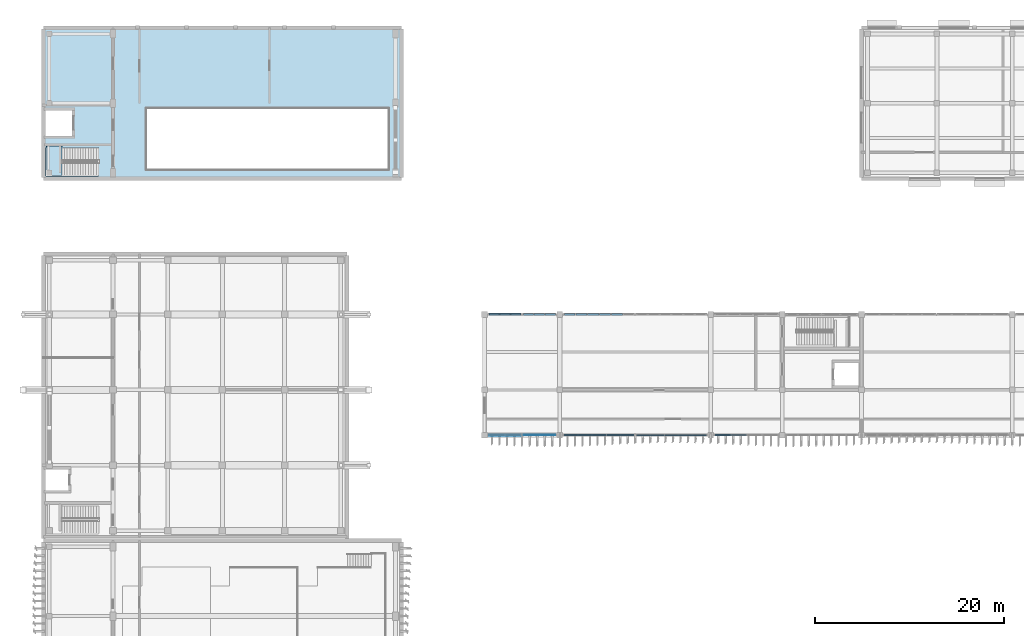
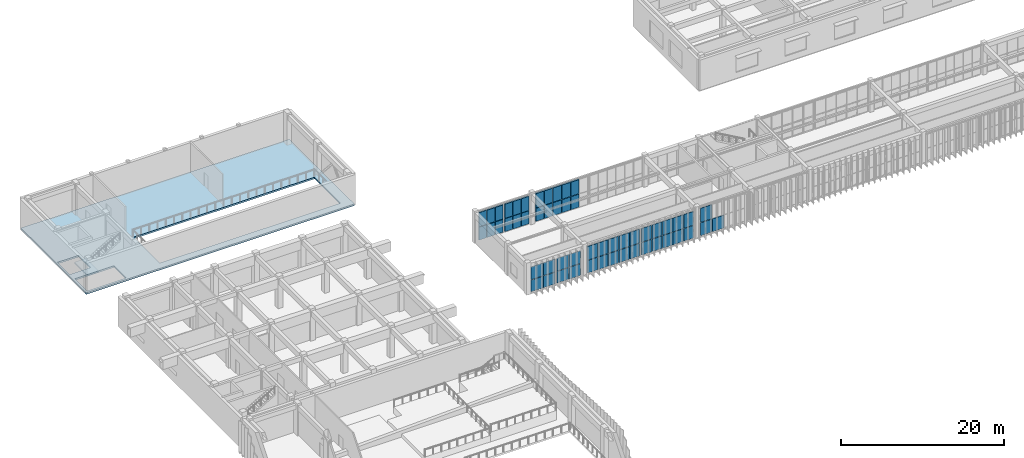
# One storey, part 30 of 64: 53 plates, 2 slabs, 9 elements without a shape of their own.
"""IFC4 building model written with IfcOpenShell, lengths in metres."""

from ifc_helpers import new_model, si_unit, direction, frame, origin, origin_2d, place, context, subcontext, project, spatial, polyline, rectangle, outline, extrude, material, layer, layer_set, type_object, element, aggregate, save


model = new_model("IFC4")

# Units and contexts
model_context = context("Model", 3, precision=1e-05, world=origin(), true_north=direction((0.0, 1.0)))
body_context = subcontext(model_context, "Body", "Model", "MODEL_VIEW")
ifc_project = project(units=[si_unit("LENGTHUNIT", "METRE"), si_unit("AREAUNIT", "SQUARE_METRE"), si_unit("VOLUMEUNIT", "CUBIC_METRE"), si_unit("PLANEANGLEUNIT", "RADIAN"), si_unit("MASSUNIT", "GRAM", prefix="KILO")], contexts=[model_context])

# Site, building, storey
site_placement = place(None, origin())
site = spatial("IfcSite", under=ifc_project, at=site_placement, CompositionType="ELEMENT")
building_placement = place(site_placement, origin())
building = spatial("IfcBuilding", under=site, at=building_placement, Name="Cinchona Park Media Centre", CompositionType="ELEMENT")
storey_placement = place(building_placement, frame((0.0, 0.0, 5.39990234375)))
storey = spatial("IfcBuildingStorey", under=building, at=storey_placement, Name="L01", CompositionType="ELEMENT", Elevation=5.39990234375)

# Curtain wall, plates
ifc_material_1 = material(Name="Aluminium Curtain Wall Framing", Category="aluminium")
ifc_layer_1 = layer(ifc_material_1, 0.239990234375)
ifc_layer_set_1 = layer_set([ifc_layer_1], Name="Aluminium Curtain Wall Framing")
curtain_wall_type_1 = type_object("IfcCurtainWallType", Name="CW-CW05", PredefinedType="USERDEFINED", material=ifc_layer_set_1)
curtain_wall_1_placement = place(storey_placement, origin())
curtain_wall_1 = element("IfcCurtainWall", 1, at=curtain_wall_1_placement, inside=storey, type_object=curtain_wall_type_1, Name="Curtain Wall CW05 L01", ObjectType="UNITISED CURTAIN WALL", PredefinedType="USERDEFINED")
ifc_material_2 = material(Name="Laminated Solar-Control Double Glazing", Category="glass")
ifc_layer_2 = layer(ifc_material_2, 0.080078125)
ifc_layer_set_2 = layer_set([ifc_layer_2], Name="Laminated Solar-Control Double Glazing")
plate_type_1 = type_object("IfcPlateType", Name="CWPANEL-PNL07", PredefinedType="CURTAIN_PANEL", material=ifc_layer_set_2)
plate_1_placement = place(storey_placement, frame((61.487548828125, 74.800048828125, 0.1201171875), z_axis=(0.0, 0.0, 1.0), x_axis=(-1.0, 0.0, 0.0)))
plate_1 = element("IfcPlate", 2, at=plate_1_placement, type_object=plate_type_1, Name="CW05 panel 1.1", PredefinedType="CURTAIN_PANEL", context=body_context, shape_type="SweptSolid", body=[
    extrude(rectangle(XDim=1.64501953125, YDim=0.080078125, at=origin_2d()), origin(), (0.0, 0.0, 1.0), 1.738037109375),
])
plate_2_placement = place(storey_placement, frame((61.487548828125, 74.800048828125, 1.927978515625), z_axis=(0.0, 0.0, 1.0), x_axis=(-1.0, 0.0, 0.0)))
plate_2 = element("IfcPlate", 3, at=plate_2_placement, type_object=plate_type_1, Name="CW05 panel 1.2", PredefinedType="CURTAIN_PANEL", context=body_context, shape_type="SweptSolid", body=[
    extrude(rectangle(XDim=1.64501953125, YDim=0.080078125, at=origin_2d()), origin(), (0.0, 0.0, 1.0), 1.89208984375),
])
plate_3_placement = place(storey_placement, frame((59.7724609375, 74.800048828125, 0.1201171875), z_axis=(0.0, 0.0, 1.0), x_axis=(-1.0, 0.0, 0.0)))
plate_3 = element("IfcPlate", 4, at=plate_3_placement, type_object=plate_type_1, Name="CW05 panel 2.1", PredefinedType="CURTAIN_PANEL", context=body_context, shape_type="SweptSolid", body=[
    extrude(rectangle(XDim=1.64501953125, YDim=0.080078125, at=origin_2d()), origin(), (0.0, 0.0, 1.0), 1.738037109375),
])
plate_4_placement = place(storey_placement, frame((59.7724609375, 74.800048828125, 1.927978515625), z_axis=(0.0, 0.0, 1.0), x_axis=(-1.0, 0.0, 0.0)))
plate_4 = element("IfcPlate", 5, at=plate_4_placement, type_object=plate_type_1, Name="CW05 panel 2.2", PredefinedType="CURTAIN_PANEL", context=body_context, shape_type="SweptSolid", body=[
    extrude(rectangle(XDim=1.64501953125, YDim=0.080078125, at=origin_2d()), origin(), (0.0, 0.0, 1.0), 1.89208984375),
])
aggregate(curtain_wall_1, [plate_1, plate_2, plate_3, plate_4])

ifc_material_3 = material(Name="Aluminium Curtain Wall Framing", Category="aluminium")
ifc_layer_3 = layer(ifc_material_3, 0.2548828125)
ifc_layer_set_3 = layer_set([ifc_layer_3], Name="Aluminium Curtain Wall Framing")
curtain_wall_type_2 = type_object("IfcCurtainWallType", Name="CW-CW06", PredefinedType="USERDEFINED", material=ifc_layer_set_3)
curtain_wall_2_placement = place(storey_placement, origin())
curtain_wall_2 = element("IfcCurtainWall", 6, at=curtain_wall_2_placement, inside=storey, type_object=curtain_wall_type_2, Name="Curtain Wall CW06 L01", ObjectType="UNITISED CURTAIN WALL", PredefinedType="USERDEFINED")
ifc_material_4 = material(Name="Insulated Acoustic Aluminium-Glass Spandrel Cassette", Category="aluminium")
ifc_layer_4 = layer(ifc_material_4, 0.10009765625)
ifc_layer_set_4 = layer_set([ifc_layer_4], Name="Insulated Acoustic Aluminium-Glass Spandrel Cassette")
plate_type_2 = type_object("IfcPlateType", Name="CWPANEL-PNL09", PredefinedType="CURTAIN_PANEL", material=ifc_layer_set_4)
plate_5_placement = place(storey_placement, frame((57.827392578125, 74.800048828125, 0.1201171875), z_axis=(0.0, 0.0, 1.0), x_axis=(-1.0, 0.0, 0.0)))
plate_5 = element("IfcPlate", 7, at=plate_5_placement, type_object=plate_type_2, Name="CW06 panel 1.1", PredefinedType="CURTAIN_PANEL", context=body_context, shape_type="SweptSolid", body=[
    extrude(rectangle(XDim=1.64501953125, YDim=0.10009765625, at=origin_2d()), origin(), (0.0, 0.0, 1.0), 1.738037109375),
])
plate_6_placement = place(storey_placement, frame((57.827392578125, 74.800048828125, 1.927978515625), z_axis=(0.0, 0.0, 1.0), x_axis=(-1.0, 0.0, 0.0)))
plate_6 = element("IfcPlate", 8, at=plate_6_placement, type_object=plate_type_2, Name="CW06 panel 1.2", PredefinedType="CURTAIN_PANEL", context=body_context, shape_type="SweptSolid", body=[
    extrude(rectangle(XDim=1.64501953125, YDim=0.10009765625, at=origin_2d()), origin(), (0.0, 0.0, 1.0), 1.89208984375),
])
plate_7_placement = place(storey_placement, frame((56.112548828125, 74.800048828125, 0.1201171875), z_axis=(0.0, 0.0, 1.0), x_axis=(-1.0, 0.0, 0.0)))
plate_7 = element("IfcPlate", 9, at=plate_7_placement, type_object=plate_type_2, Name="CW06 panel 2.1", PredefinedType="CURTAIN_PANEL", context=body_context, shape_type="SweptSolid", body=[
    extrude(rectangle(XDim=1.64501953125, YDim=0.10009765625, at=origin_2d()), origin(), (0.0, 0.0, 1.0), 1.738037109375),
])
plate_8_placement = place(storey_placement, frame((56.112548828125, 74.800048828125, 1.927978515625), z_axis=(0.0, 0.0, 1.0), x_axis=(-1.0, 0.0, 0.0)))
plate_8 = element("IfcPlate", 10, at=plate_8_placement, type_object=plate_type_2, Name="CW06 panel 2.2", PredefinedType="CURTAIN_PANEL", context=body_context, shape_type="SweptSolid", body=[
    extrude(rectangle(XDim=1.64501953125, YDim=0.10009765625, at=origin_2d()), origin(), (0.0, 0.0, 1.0), 1.89208984375),
])
aggregate(curtain_wall_2, [plate_5, plate_6, plate_7, plate_8])

ifc_material_5 = material(Name="Aluminium Curtain Wall Framing", Category="aluminium")
ifc_layer_5 = layer(ifc_material_5, 0.27001953125)
ifc_layer_set_5 = layer_set([ifc_layer_5], Name="Aluminium Curtain Wall Framing")
curtain_wall_type_3 = type_object("IfcCurtainWallType", Name="CW-CW07", PredefinedType="USERDEFINED", material=ifc_layer_set_5)
curtain_wall_3_placement = place(storey_placement, origin())
curtain_wall_3 = element("IfcCurtainWall", 11, at=curtain_wall_3_placement, inside=storey, type_object=curtain_wall_type_3, Name="Curtain Wall CW07 L01", ObjectType="UNITISED CURTAIN WALL", PredefinedType="USERDEFINED")
ifc_material_6 = material(Name="Insulated Acoustic Aluminium-Glass Spandrel Cassette", Category="aluminium")
ifc_layer_6 = layer(ifc_material_6, 0.110107421875)
ifc_layer_set_6 = layer_set([ifc_layer_6], Name="Insulated Acoustic Aluminium-Glass Spandrel Cassette")
plate_type_3 = type_object("IfcPlateType", Name="CWPANEL-PNL10", PredefinedType="CURTAIN_PANEL", material=ifc_layer_set_6)
plate_9_placement = place(storey_placement, frame((77.61376953125, 74.800048828125, 0.115234375), z_axis=(0.0, 0.0, 1.0), x_axis=(-1.0, 0.0, 0.0)))
plate_9 = element("IfcPlate", 12, at=plate_9_placement, type_object=plate_type_3, Name="CW07 panel 1.1", PredefinedType="CURTAIN_PANEL", context=body_context, shape_type="SweptSolid", body=[
    extrude(rectangle(XDim=1.402587890625, YDim=0.110107421875, at=origin_2d()), origin(), (0.0, 0.0, 1.0), 1.883544921875),
])
plate_10_placement = place(storey_placement, frame((77.61376953125, 74.800048828125, 2.0634765625), z_axis=(0.0, 0.0, 1.0), x_axis=(-1.0, 0.0, 0.0)))
plate_10 = element("IfcPlate", 13, at=plate_10_placement, type_object=plate_type_3, Name="CW07 panel 1.2", PredefinedType="CURTAIN_PANEL", context=body_context, shape_type="SweptSolid", body=[
    extrude(rectangle(XDim=1.402587890625, YDim=0.110107421875, at=origin_2d()), origin(), (0.0, 0.0, 1.0), 2.048583984375),
])
plate_11_placement = place(storey_placement, frame((76.1298828125, 74.800048828125, 0.115234375), z_axis=(0.0, 0.0, 1.0), x_axis=(-1.0, 0.0, 0.0)))
plate_11 = element("IfcPlate", 14, at=plate_11_placement, type_object=plate_type_3, Name="CW07 panel 2.1", PredefinedType="CURTAIN_PANEL", context=body_context, shape_type="SweptSolid", body=[
    extrude(rectangle(XDim=1.43505859375, YDim=0.110107421875, at=origin_2d()), origin(), (0.0, 0.0, 1.0), 1.883544921875),
])
plate_12_placement = place(storey_placement, frame((76.1298828125, 74.800048828125, 2.0634765625), z_axis=(0.0, 0.0, 1.0), x_axis=(-1.0, 0.0, 0.0)))
plate_12 = element("IfcPlate", 15, at=plate_12_placement, type_object=plate_type_3, Name="CW07 panel 2.2", PredefinedType="CURTAIN_PANEL", context=body_context, shape_type="SweptSolid", body=[
    extrude(rectangle(XDim=1.43505859375, YDim=0.110107421875, at=origin_2d()), origin(), (0.0, 0.0, 1.0), 2.048583984375),
])
plate_13_placement = place(storey_placement, frame((74.6298828125, 74.800048828125, 0.115234375), z_axis=(0.0, 0.0, 1.0), x_axis=(-1.0, 0.0, 0.0)))
plate_13 = element("IfcPlate", 16, at=plate_13_placement, type_object=plate_type_3, Name="CW07 panel 3.1", PredefinedType="CURTAIN_PANEL", context=body_context, shape_type="SweptSolid", body=[
    extrude(rectangle(XDim=1.43505859375, YDim=0.110107421875, at=origin_2d()), origin(), (0.0, 0.0, 1.0), 1.883544921875),
])
plate_14_placement = place(storey_placement, frame((74.6298828125, 74.800048828125, 2.0634765625), z_axis=(0.0, 0.0, 1.0), x_axis=(-1.0, 0.0, 0.0)))
plate_14 = element("IfcPlate", 17, at=plate_14_placement, type_object=plate_type_3, Name="CW07 panel 3.2", PredefinedType="CURTAIN_PANEL", context=body_context, shape_type="SweptSolid", body=[
    extrude(rectangle(XDim=1.43505859375, YDim=0.110107421875, at=origin_2d()), origin(), (0.0, 0.0, 1.0), 2.048583984375),
])
plate_15_placement = place(storey_placement, frame((73.1298828125, 74.800048828125, 0.115234375), z_axis=(0.0, 0.0, 1.0), x_axis=(-1.0, 0.0, 0.0)))
plate_15 = element("IfcPlate", 18, at=plate_15_placement, type_object=plate_type_3, Name="CW07 panel 4.1", PredefinedType="CURTAIN_PANEL", context=body_context, shape_type="SweptSolid", body=[
    extrude(rectangle(XDim=1.43505859375, YDim=0.110107421875, at=origin_2d()), origin(), (0.0, 0.0, 1.0), 1.883544921875),
])
plate_16_placement = place(storey_placement, frame((73.1298828125, 74.800048828125, 2.0634765625), z_axis=(0.0, 0.0, 1.0), x_axis=(-1.0, 0.0, 0.0)))
plate_16 = element("IfcPlate", 19, at=plate_16_placement, type_object=plate_type_3, Name="CW07 panel 4.2", PredefinedType="CURTAIN_PANEL", context=body_context, shape_type="SweptSolid", body=[
    extrude(rectangle(XDim=1.43505859375, YDim=0.110107421875, at=origin_2d()), origin(), (0.0, 0.0, 1.0), 2.048583984375),
])
plate_17_placement = place(storey_placement, frame((71.646240234375, 74.800048828125, 0.115234375), z_axis=(0.0, 0.0, 1.0), x_axis=(-1.0, 0.0, 0.0)))
plate_17 = element("IfcPlate", 20, at=plate_17_placement, type_object=plate_type_3, Name="CW07 panel 5.1", PredefinedType="CURTAIN_PANEL", context=body_context, shape_type="SweptSolid", body=[
    extrude(rectangle(XDim=1.402587890625, YDim=0.110107421875, at=origin_2d()), origin(), (0.0, 0.0, 1.0), 1.883544921875),
])
plate_18_placement = place(storey_placement, frame((71.646240234375, 74.800048828125, 2.0634765625), z_axis=(0.0, 0.0, 1.0), x_axis=(-1.0, 0.0, 0.0)))
plate_18 = element("IfcPlate", 21, at=plate_18_placement, type_object=plate_type_3, Name="CW07 panel 5.2", PredefinedType="CURTAIN_PANEL", context=body_context, shape_type="SweptSolid", body=[
    extrude(rectangle(XDim=1.402587890625, YDim=0.110107421875, at=origin_2d()), origin(), (0.0, 0.0, 1.0), 2.048583984375),
])
aggregate(curtain_wall_3, [plate_9, plate_10, plate_11, plate_12, plate_13, plate_14, plate_15, plate_16, plate_17, plate_18])

ifc_material_7 = material(Name="Aluminium Curtain Wall Framing", Category="aluminium")
ifc_layer_7 = layer(ifc_material_7, 0.284912109375)
ifc_layer_set_7 = layer_set([ifc_layer_7], Name="Aluminium Curtain Wall Framing")
curtain_wall_type_4 = type_object("IfcCurtainWallType", Name="CW-CW08", PredefinedType="USERDEFINED", material=ifc_layer_set_7)
curtain_wall_4_placement = place(storey_placement, origin())
curtain_wall_4 = element("IfcCurtainWall", 22, at=curtain_wall_4_placement, inside=storey, type_object=curtain_wall_type_4, Name="Curtain Wall CW08 L01", ObjectType="UNITISED CURTAIN WALL", PredefinedType="USERDEFINED")
ifc_material_8 = material(Name="Insulated Acoustic Aluminium-Glass Spandrel Cassette", Category="aluminium")
ifc_layer_8 = layer(ifc_material_8, 0.1298828125)
ifc_layer_set_8 = layer_set([ifc_layer_8], Name="Insulated Acoustic Aluminium-Glass Spandrel Cassette")
plate_type_4 = type_object("IfcPlateType", Name="CWPANEL-PNL12", PredefinedType="CURTAIN_PANEL", material=ifc_layer_set_8)
plate_19_placement = place(storey_placement, frame((69.953857421875, 74.800048828125, 0.115234375), z_axis=(0.0, 0.0, 1.0), x_axis=(-1.0, 0.0, 0.0)))
plate_19 = element("IfcPlate", 23, at=plate_19_placement, type_object=plate_type_4, Name="CW08 panel 1.1", PredefinedType="CURTAIN_PANEL", context=body_context, shape_type="SweptSolid", body=[
    extrude(rectangle(XDim=1.402587890625, YDim=0.1298828125, at=origin_2d()), origin(), (0.0, 0.0, 1.0), 1.883544921875),
])
plate_20_placement = place(storey_placement, frame((69.953857421875, 74.800048828125, 2.0634765625), z_axis=(0.0, 0.0, 1.0), x_axis=(-1.0, 0.0, 0.0)))
plate_20 = element("IfcPlate", 24, at=plate_20_placement, type_object=plate_type_4, Name="CW08 panel 1.2", PredefinedType="CURTAIN_PANEL", context=body_context, shape_type="SweptSolid", body=[
    extrude(rectangle(XDim=1.402587890625, YDim=0.1298828125, at=origin_2d()), origin(), (0.0, 0.0, 1.0), 2.048583984375),
])
plate_21_placement = place(storey_placement, frame((68.469970703125, 74.800048828125, 0.115234375), z_axis=(0.0, 0.0, 1.0), x_axis=(-1.0, 0.0, 0.0)))
plate_21 = element("IfcPlate", 25, at=plate_21_placement, type_object=plate_type_4, Name="CW08 panel 2.1", PredefinedType="CURTAIN_PANEL", context=body_context, shape_type="SweptSolid", body=[
    extrude(rectangle(XDim=1.43505859375, YDim=0.1298828125, at=origin_2d()), origin(), (0.0, 0.0, 1.0), 1.883544921875),
])
plate_22_placement = place(storey_placement, frame((68.469970703125, 74.800048828125, 2.0634765625), z_axis=(0.0, 0.0, 1.0), x_axis=(-1.0, 0.0, 0.0)))
plate_22 = element("IfcPlate", 26, at=plate_22_placement, type_object=plate_type_4, Name="CW08 panel 2.2", PredefinedType="CURTAIN_PANEL", context=body_context, shape_type="SweptSolid", body=[
    extrude(rectangle(XDim=1.43505859375, YDim=0.1298828125, at=origin_2d()), origin(), (0.0, 0.0, 1.0), 2.048583984375),
])
plate_23_placement = place(storey_placement, frame((66.969970703125, 74.800048828125, 0.115234375), z_axis=(0.0, 0.0, 1.0), x_axis=(-1.0, 0.0, 0.0)))
plate_23 = element("IfcPlate", 27, at=plate_23_placement, type_object=plate_type_4, Name="CW08 panel 3.1", PredefinedType="CURTAIN_PANEL", context=body_context, shape_type="SweptSolid", body=[
    extrude(rectangle(XDim=1.43505859375, YDim=0.1298828125, at=origin_2d()), origin(), (0.0, 0.0, 1.0), 1.883544921875),
])
plate_24_placement = place(storey_placement, frame((66.969970703125, 74.800048828125, 2.0634765625), z_axis=(0.0, 0.0, 1.0), x_axis=(-1.0, 0.0, 0.0)))
plate_24 = element("IfcPlate", 28, at=plate_24_placement, type_object=plate_type_4, Name="CW08 panel 3.2", PredefinedType="CURTAIN_PANEL", context=body_context, shape_type="SweptSolid", body=[
    extrude(rectangle(XDim=1.43505859375, YDim=0.1298828125, at=origin_2d()), origin(), (0.0, 0.0, 1.0), 2.048583984375),
])
plate_25_placement = place(storey_placement, frame((65.469970703125, 74.800048828125, 0.115234375), z_axis=(0.0, 0.0, 1.0), x_axis=(-1.0, 0.0, 0.0)))
plate_25 = element("IfcPlate", 29, at=plate_25_placement, type_object=plate_type_4, Name="CW08 panel 4.1", PredefinedType="CURTAIN_PANEL", context=body_context, shape_type="SweptSolid", body=[
    extrude(rectangle(XDim=1.43505859375, YDim=0.1298828125, at=origin_2d()), origin(), (0.0, 0.0, 1.0), 1.883544921875),
])
plate_26_placement = place(storey_placement, frame((65.469970703125, 74.800048828125, 2.0634765625), z_axis=(0.0, 0.0, 1.0), x_axis=(-1.0, 0.0, 0.0)))
plate_26 = element("IfcPlate", 30, at=plate_26_placement, type_object=plate_type_4, Name="CW08 panel 4.2", PredefinedType="CURTAIN_PANEL", context=body_context, shape_type="SweptSolid", body=[
    extrude(rectangle(XDim=1.43505859375, YDim=0.1298828125, at=origin_2d()), origin(), (0.0, 0.0, 1.0), 2.048583984375),
])
plate_27_placement = place(storey_placement, frame((63.986328125, 74.800048828125, 0.115234375), z_axis=(0.0, 0.0, 1.0), x_axis=(-1.0, 0.0, 0.0)))
plate_27 = element("IfcPlate", 31, at=plate_27_placement, type_object=plate_type_4, Name="CW08 panel 5.1", PredefinedType="CURTAIN_PANEL", context=body_context, shape_type="SweptSolid", body=[
    extrude(rectangle(XDim=1.402587890625, YDim=0.1298828125, at=origin_2d()), origin(), (0.0, 0.0, 1.0), 1.883544921875),
])
plate_28_placement = place(storey_placement, frame((63.986328125, 74.800048828125, 2.0634765625), z_axis=(0.0, 0.0, 1.0), x_axis=(-1.0, 0.0, 0.0)))
plate_28 = element("IfcPlate", 32, at=plate_28_placement, type_object=plate_type_4, Name="CW08 panel 5.2", PredefinedType="CURTAIN_PANEL", context=body_context, shape_type="SweptSolid", body=[
    extrude(rectangle(XDim=1.402587890625, YDim=0.1298828125, at=origin_2d()), origin(), (0.0, 0.0, 1.0), 2.048583984375),
])
aggregate(curtain_wall_4, [plate_19, plate_20, plate_21, plate_22, plate_23, plate_24, plate_25, plate_26, plate_27, plate_28])

ifc_material_9 = material(Name="Aluminium Curtain Wall Framing", Category="aluminium")
ifc_layer_9 = layer(ifc_material_9, 0.300048828125)
ifc_layer_set_9 = layer_set([ifc_layer_9], Name="Aluminium Curtain Wall Framing")
curtain_wall_type_5 = type_object("IfcCurtainWallType", Name="CW-CW09", PredefinedType="USERDEFINED", material=ifc_layer_set_9)
curtain_wall_5_placement = place(storey_placement, origin())
curtain_wall_5 = element("IfcCurtainWall", 33, at=curtain_wall_5_placement, inside=storey, type_object=curtain_wall_type_5, Name="Curtain Wall CW09 L01", ObjectType="UNITISED CURTAIN WALL", PredefinedType="USERDEFINED")
ifc_material_10 = material(Name="Insulated Acoustic Aluminium-Glass Spandrel Cassette", Category="aluminium")
ifc_layer_10 = layer(ifc_material_10, 0.139892578125)
ifc_layer_set_10 = layer_set([ifc_layer_10], Name="Insulated Acoustic Aluminium-Glass Spandrel Cassette")
plate_type_5 = type_object("IfcPlateType", Name="CWPANEL-PNL13", PredefinedType="CURTAIN_PANEL", material=ifc_layer_set_10)
plate_29_placement = place(storey_placement, frame((81.7548828125, 74.800048828125, 0.125244140625), z_axis=(0.0, 0.0, 1.0), x_axis=(-1.0, 0.0, 0.0)))
plate_29 = element("IfcPlate", 34, at=plate_29_placement, type_object=plate_type_5, Name="CW09 panel 3.1", PredefinedType="CURTAIN_PANEL", context=body_context, shape_type="SweptSolid", body=[
    extrude(rectangle(XDim=1.614990234375, YDim=0.139892578125, at=origin_2d()), origin(), (0.0, 0.0, 1.0), 1.92138671875),
])
plate_30_placement = place(storey_placement, frame((80.083740234375, 74.800048828125, 0.125244140625), z_axis=(0.0, 0.0, 1.0), x_axis=(-1.0, 0.0, 0.0)))
plate_30 = element("IfcPlate", 35, at=plate_30_placement, type_object=plate_type_5, Name="CW09 panel 4.1", PredefinedType="CURTAIN_PANEL", context=body_context, shape_type="SweptSolid", body=[
    extrude(rectangle(XDim=1.577392578125, YDim=0.139892578125, at=origin_2d()), origin(), (0.0, 0.0, 1.0), 1.92138671875),
])
plate_31_placement = place(storey_placement, frame((80.083740234375, 74.800048828125, 2.12158203125), z_axis=(0.0, 0.0, 1.0), x_axis=(-1.0, 0.0, 0.0)))
plate_31 = element("IfcPlate", 36, at=plate_31_placement, type_object=plate_type_5, Name="CW09 panel 4.2", PredefinedType="CURTAIN_PANEL", context=body_context, shape_type="SweptSolid", body=[
    extrude(rectangle(XDim=1.577392578125, YDim=0.139892578125, at=origin_2d()), origin(), (0.0, 0.0, 1.0), 2.091552734375),
])
aggregate(curtain_wall_5, [plate_29, plate_30, plate_31])

ifc_material_11 = material(Name="Aluminium Curtain Wall Framing", Category="aluminium")
ifc_layer_11 = layer(ifc_material_11, 0.179931640625)
ifc_layer_set_11 = layer_set([ifc_layer_11], Name="Aluminium Curtain Wall Framing")
curtain_wall_type_6 = type_object("IfcCurtainWallType", Name="CW-CW01", PredefinedType="USERDEFINED", material=ifc_layer_set_11)
curtain_wall_6_placement = place(storey_placement, origin())
curtain_wall_6 = element("IfcCurtainWall", 37, at=curtain_wall_6_placement, inside=storey, type_object=curtain_wall_type_6, Name="Curtain Wall CW01 L01", ObjectType="UNITISED CURTAIN WALL", PredefinedType="USERDEFINED")
ifc_material_12 = material(Name="Insulated Acoustic Aluminium-Glass Spandrel Cassette", Category="aluminium")
ifc_layer_12 = layer(ifc_material_12, 0.2099609375)
ifc_layer_set_12 = layer_set([ifc_layer_12], Name="Insulated Acoustic Aluminium-Glass Spandrel Cassette")
plate_type_6 = type_object("IfcPlateType", Name="CWPANEL-PNL20", PredefinedType="CURTAIN_PANEL", material=ifc_layer_set_12)
plate_32_placement = place(storey_placement, frame((55.819580078125, 87.60009765625, 0.114990234375), z_axis=(0.0, 0.0, 1.0), x_axis=(1.0, 0.0, 0.0)))
plate_32 = element("IfcPlate", 38, at=plate_32_placement, type_object=plate_type_6, Name="CW01 panel 1.1", PredefinedType="CURTAIN_PANEL", context=body_context, shape_type="SweptSolid", body=[
    extrude(rectangle(XDim=1.069091796875, YDim=0.2099609375, at=origin_2d()), origin(), (0.0, 0.0, 1.0), 1.9365234375),
])
plate_33_placement = place(storey_placement, frame((55.819580078125, 87.60009765625, 2.11669921875), z_axis=(0.0, 0.0, 1.0), x_axis=(1.0, 0.0, 0.0)))
plate_33 = element("IfcPlate", 39, at=plate_33_placement, type_object=plate_type_6, Name="CW01 panel 1.2", PredefinedType="CURTAIN_PANEL", context=body_context, shape_type="SweptSolid", body=[
    extrude(rectangle(XDim=1.069091796875, YDim=0.2099609375, at=origin_2d()), origin(), (0.0, 0.0, 1.0), 2.1064453125),
])
plate_34_placement = place(storey_placement, frame((56.969970703125, 87.60009765625, 0.114990234375), z_axis=(0.0, 0.0, 1.0), x_axis=(1.0, 0.0, 0.0)))
plate_34 = element("IfcPlate", 40, at=plate_34_placement, type_object=plate_type_6, Name="CW01 panel 2.1", PredefinedType="CURTAIN_PANEL", context=body_context, shape_type="SweptSolid", body=[
    extrude(rectangle(XDim=1.1015625, YDim=0.2099609375, at=origin_2d()), origin(), (0.0, 0.0, 1.0), 1.9365234375),
])
plate_35_placement = place(storey_placement, frame((56.969970703125, 87.60009765625, 2.11669921875), z_axis=(0.0, 0.0, 1.0), x_axis=(1.0, 0.0, 0.0)))
plate_35 = element("IfcPlate", 41, at=plate_35_placement, type_object=plate_type_6, Name="CW01 panel 2.2", PredefinedType="CURTAIN_PANEL", context=body_context, shape_type="SweptSolid", body=[
    extrude(rectangle(XDim=1.1015625, YDim=0.2099609375, at=origin_2d()), origin(), (0.0, 0.0, 1.0), 2.1064453125),
])
plate_36_placement = place(storey_placement, frame((58.120361328125, 87.60009765625, 0.114990234375), z_axis=(0.0, 0.0, 1.0), x_axis=(1.0, 0.0, 0.0)))
plate_36 = element("IfcPlate", 42, at=plate_36_placement, type_object=plate_type_6, Name="CW01 panel 3.1", PredefinedType="CURTAIN_PANEL", context=body_context, shape_type="SweptSolid", body=[
    extrude(rectangle(XDim=1.069091796875, YDim=0.2099609375, at=origin_2d()), origin(), (0.0, 0.0, 1.0), 1.9365234375),
])
plate_37_placement = place(storey_placement, frame((58.120361328125, 87.60009765625, 2.11669921875), z_axis=(0.0, 0.0, 1.0), x_axis=(1.0, 0.0, 0.0)))
plate_37 = element("IfcPlate", 43, at=plate_37_placement, type_object=plate_type_6, Name="CW01 panel 3.2", PredefinedType="CURTAIN_PANEL", context=body_context, shape_type="SweptSolid", body=[
    extrude(rectangle(XDim=1.069091796875, YDim=0.2099609375, at=origin_2d()), origin(), (0.0, 0.0, 1.0), 2.1064453125),
])
aggregate(curtain_wall_6, [plate_32, plate_33, plate_34, plate_35, plate_36, plate_37])

ifc_material_13 = material(Name="Aluminium Curtain Wall Framing", Category="aluminium")
ifc_layer_13 = layer(ifc_material_13, 0.195068359375)
ifc_layer_set_13 = layer_set([ifc_layer_13], Name="Aluminium Curtain Wall Framing")
curtain_wall_type_7 = type_object("IfcCurtainWallType", Name="CW-CW02", PredefinedType="USERDEFINED", material=ifc_layer_set_13)
curtain_wall_7_placement = place(storey_placement, origin())
curtain_wall_7 = element("IfcCurtainWall", 44, at=curtain_wall_7_placement, inside=storey, type_object=curtain_wall_type_7, Name="Curtain Wall CW02 L01", ObjectType="UNITISED CURTAIN WALL", PredefinedType="USERDEFINED")
ifc_material_14 = material(Name="Insulated Acoustic Aluminium-Glass Spandrel Cassette", Category="aluminium")
ifc_layer_14 = layer(ifc_material_14, 0.22998046875)
ifc_layer_set_14 = layer_set([ifc_layer_14], Name="Insulated Acoustic Aluminium-Glass Spandrel Cassette")
plate_type_7 = type_object("IfcPlateType", Name="CWPANEL-PNL22", PredefinedType="CURTAIN_PANEL", material=ifc_layer_set_14)
plate_38_placement = place(storey_placement, frame((59.4794921875, 87.60009765625, 0.114990234375), z_axis=(0.0, 0.0, 1.0), x_axis=(1.0, 0.0, 0.0)))
plate_38 = element("IfcPlate", 45, at=plate_38_placement, type_object=plate_type_7, Name="CW02 panel 1.1", PredefinedType="CURTAIN_PANEL", context=body_context, shape_type="SweptSolid", body=[
    extrude(rectangle(XDim=1.069091796875, YDim=0.22998046875, at=origin_2d()), origin(), (0.0, 0.0, 1.0), 1.9365234375),
])
plate_39_placement = place(storey_placement, frame((59.4794921875, 87.60009765625, 2.11669921875), z_axis=(0.0, 0.0, 1.0), x_axis=(1.0, 0.0, 0.0)))
plate_39 = element("IfcPlate", 46, at=plate_39_placement, type_object=plate_type_7, Name="CW02 panel 1.2", PredefinedType="CURTAIN_PANEL", context=body_context, shape_type="SweptSolid", body=[
    extrude(rectangle(XDim=1.069091796875, YDim=0.22998046875, at=origin_2d()), origin(), (0.0, 0.0, 1.0), 2.1064453125),
])
plate_40_placement = place(storey_placement, frame((60.6298828125, 87.60009765625, 0.114990234375), z_axis=(0.0, 0.0, 1.0), x_axis=(1.0, 0.0, 0.0)))
plate_40 = element("IfcPlate", 47, at=plate_40_placement, type_object=plate_type_7, Name="CW02 panel 2.1", PredefinedType="CURTAIN_PANEL", context=body_context, shape_type="SweptSolid", body=[
    extrude(rectangle(XDim=1.1015625, YDim=0.22998046875, at=origin_2d()), origin(), (0.0, 0.0, 1.0), 1.9365234375),
])
plate_41_placement = place(storey_placement, frame((60.6298828125, 87.60009765625, 2.11669921875), z_axis=(0.0, 0.0, 1.0), x_axis=(1.0, 0.0, 0.0)))
plate_41 = element("IfcPlate", 48, at=plate_41_placement, type_object=plate_type_7, Name="CW02 panel 2.2", PredefinedType="CURTAIN_PANEL", context=body_context, shape_type="SweptSolid", body=[
    extrude(rectangle(XDim=1.1015625, YDim=0.22998046875, at=origin_2d()), origin(), (0.0, 0.0, 1.0), 2.1064453125),
])
plate_42_placement = place(storey_placement, frame((61.780517578125, 87.60009765625, 0.114990234375), z_axis=(0.0, 0.0, 1.0), x_axis=(1.0, 0.0, 0.0)))
plate_42 = element("IfcPlate", 49, at=plate_42_placement, type_object=plate_type_7, Name="CW02 panel 3.1", PredefinedType="CURTAIN_PANEL", context=body_context, shape_type="SweptSolid", body=[
    extrude(rectangle(XDim=1.069091796875, YDim=0.22998046875, at=origin_2d()), origin(), (0.0, 0.0, 1.0), 1.9365234375),
])
plate_43_placement = place(storey_placement, frame((61.780517578125, 87.60009765625, 2.11669921875), z_axis=(0.0, 0.0, 1.0), x_axis=(1.0, 0.0, 0.0)))
plate_43 = element("IfcPlate", 50, at=plate_43_placement, type_object=plate_type_7, Name="CW02 panel 3.2", PredefinedType="CURTAIN_PANEL", context=body_context, shape_type="SweptSolid", body=[
    extrude(rectangle(XDim=1.069091796875, YDim=0.22998046875, at=origin_2d()), origin(), (0.0, 0.0, 1.0), 2.1064453125),
])
aggregate(curtain_wall_7, [plate_38, plate_39, plate_40, plate_41, plate_42, plate_43])

ifc_material_15 = material(Name="Aluminium Curtain Wall Framing", Category="aluminium")
ifc_layer_15 = layer(ifc_material_15, 0.2099609375)
ifc_layer_set_15 = layer_set([ifc_layer_15], Name="Aluminium Curtain Wall Framing")
curtain_wall_type_8 = type_object("IfcCurtainWallType", Name="CW-CW03", PredefinedType="USERDEFINED", material=ifc_layer_set_15)
curtain_wall_8_placement = place(storey_placement, origin())
curtain_wall_8 = element("IfcCurtainWall", 51, at=curtain_wall_8_placement, inside=storey, type_object=curtain_wall_type_8, Name="Curtain Wall CW03 L01", ObjectType="UNITISED CURTAIN WALL", PredefinedType="USERDEFINED")
ifc_material_16 = material(Name="Insulated Acoustic Aluminium-Glass Spandrel Cassette", Category="aluminium")
ifc_layer_16 = layer(ifc_material_16, 0.239990234375)
ifc_layer_set_16 = layer_set([ifc_layer_16], Name="Insulated Acoustic Aluminium-Glass Spandrel Cassette")
plate_type_8 = type_object("IfcPlateType", Name="CWPANEL-PNL23", PredefinedType="CURTAIN_PANEL", material=ifc_layer_set_16)
plate_44_placement = place(storey_placement, frame((63.86376953125, 87.60009765625, 0.125), z_axis=(0.0, 0.0, 1.0), x_axis=(1.0, 0.0, 0.0)))
plate_44 = element("IfcPlate", 52, at=plate_44_placement, type_object=plate_type_8, Name="CW03 panel 1.1", PredefinedType="CURTAIN_PANEL", context=body_context, shape_type="SweptSolid", body=[
    extrude(rectangle(XDim=1.137451171875, YDim=0.239990234375, at=origin_2d()), origin(), (0.0, 0.0, 1.0), 1.945556640625),
])
plate_45_placement = place(storey_placement, frame((63.86376953125, 87.60009765625, 2.1455078125), z_axis=(0.0, 0.0, 1.0), x_axis=(1.0, 0.0, 0.0)))
plate_45 = element("IfcPlate", 53, at=plate_45_placement, type_object=plate_type_8, Name="CW03 panel 1.2", PredefinedType="CURTAIN_PANEL", context=body_context, shape_type="SweptSolid", body=[
    extrude(rectangle(XDim=1.137451171875, YDim=0.239990234375, at=origin_2d()), origin(), (0.0, 0.0, 1.0), 2.116455078125),
])
plate_46_placement = place(storey_placement, frame((65.094970703125, 87.60009765625, 0.125), z_axis=(0.0, 0.0, 1.0), x_axis=(1.0, 0.0, 0.0)))
plate_46 = element("IfcPlate", 54, at=plate_46_placement, type_object=plate_type_8, Name="CW03 panel 2.1", PredefinedType="CURTAIN_PANEL", context=body_context, shape_type="SweptSolid", body=[
    extrude(rectangle(XDim=1.175048828125, YDim=0.239990234375, at=origin_2d()), origin(), (0.0, 0.0, 1.0), 1.945556640625),
])
plate_47_placement = place(storey_placement, frame((65.094970703125, 87.60009765625, 2.1455078125), z_axis=(0.0, 0.0, 1.0), x_axis=(1.0, 0.0, 0.0)))
plate_47 = element("IfcPlate", 55, at=plate_47_placement, type_object=plate_type_8, Name="CW03 panel 2.2", PredefinedType="CURTAIN_PANEL", context=body_context, shape_type="SweptSolid", body=[
    extrude(rectangle(XDim=1.175048828125, YDim=0.239990234375, at=origin_2d()), origin(), (0.0, 0.0, 1.0), 2.116455078125),
])
plate_48_placement = place(storey_placement, frame((66.344970703125, 87.60009765625, 0.125), z_axis=(0.0, 0.0, 1.0), x_axis=(1.0, 0.0, 0.0)))
plate_48 = element("IfcPlate", 56, at=plate_48_placement, type_object=plate_type_8, Name="CW03 panel 3.1", PredefinedType="CURTAIN_PANEL", context=body_context, shape_type="SweptSolid", body=[
    extrude(rectangle(XDim=1.175048828125, YDim=0.239990234375, at=origin_2d()), origin(), (0.0, 0.0, 1.0), 1.945556640625),
])
plate_49_placement = place(storey_placement, frame((66.344970703125, 87.60009765625, 2.1455078125), z_axis=(0.0, 0.0, 1.0), x_axis=(1.0, 0.0, 0.0)))
plate_49 = element("IfcPlate", 57, at=plate_49_placement, type_object=plate_type_8, Name="CW03 panel 3.2", PredefinedType="CURTAIN_PANEL", context=body_context, shape_type="SweptSolid", body=[
    extrude(rectangle(XDim=1.175048828125, YDim=0.239990234375, at=origin_2d()), origin(), (0.0, 0.0, 1.0), 2.116455078125),
])
plate_50_placement = place(storey_placement, frame((67.594970703125, 87.60009765625, 0.125), z_axis=(0.0, 0.0, 1.0), x_axis=(1.0, 0.0, 0.0)))
plate_50 = element("IfcPlate", 58, at=plate_50_placement, type_object=plate_type_8, Name="CW03 panel 4.1", PredefinedType="CURTAIN_PANEL", context=body_context, shape_type="SweptSolid", body=[
    extrude(rectangle(XDim=1.175048828125, YDim=0.239990234375, at=origin_2d()), origin(), (0.0, 0.0, 1.0), 1.945556640625),
])
plate_51_placement = place(storey_placement, frame((67.594970703125, 87.60009765625, 2.1455078125), z_axis=(0.0, 0.0, 1.0), x_axis=(1.0, 0.0, 0.0)))
plate_51 = element("IfcPlate", 59, at=plate_51_placement, type_object=plate_type_8, Name="CW03 panel 4.2", PredefinedType="CURTAIN_PANEL", context=body_context, shape_type="SweptSolid", body=[
    extrude(rectangle(XDim=1.175048828125, YDim=0.239990234375, at=origin_2d()), origin(), (0.0, 0.0, 1.0), 2.116455078125),
])
plate_52_placement = place(storey_placement, frame((68.844970703125, 87.60009765625, 0.125), z_axis=(0.0, 0.0, 1.0), x_axis=(1.0, 0.0, 0.0)))
plate_52 = element("IfcPlate", 60, at=plate_52_placement, type_object=plate_type_8, Name="CW03 panel 5.1", PredefinedType="CURTAIN_PANEL", context=body_context, shape_type="SweptSolid", body=[
    extrude(rectangle(XDim=1.175048828125, YDim=0.239990234375, at=origin_2d()), origin(), (0.0, 0.0, 1.0), 1.945556640625),
])
plate_53_placement = place(storey_placement, frame((68.844970703125, 87.60009765625, 2.1455078125), z_axis=(0.0, 0.0, 1.0), x_axis=(1.0, 0.0, 0.0)))
plate_53 = element("IfcPlate", 61, at=plate_53_placement, type_object=plate_type_8, Name="CW03 panel 5.2", PredefinedType="CURTAIN_PANEL", context=body_context, shape_type="SweptSolid", body=[
    extrude(rectangle(XDim=1.175048828125, YDim=0.239990234375, at=origin_2d()), origin(), (0.0, 0.0, 1.0), 2.116455078125),
])
aggregate(curtain_wall_8, [plate_44, plate_45, plate_46, plate_47, plate_48, plate_49, plate_50, plate_51, plate_52, plate_53])

# Stair, slab
ifc_material_17 = material(Name="Concrete C35/45", Category="concrete")
stair_type = type_object("IfcStairType", Name="STAIR-ST4-HT48", PredefinedType="HALF_TURN_STAIR", material=ifc_material_17)
stair_placement = place(storey_placement, origin())
stair = element("IfcStair", 62, at=stair_placement, inside=storey, type_object=stair_type, Name="Exit Stair ST4 L01", PredefinedType="HALF_TURN_STAIR")
ifc_material_18 = material(Name="Concrete C35/45", Category="concrete")
ifc_layer_17 = layer(ifc_material_18, 0.205078125)
ifc_layer_set_17 = layer_set([ifc_layer_17], Name="Concrete C35/45")
slab_type_1 = type_object("IfcSlabType", Name="LANDING-LDG01", PredefinedType="LANDING", material=ifc_layer_set_17)
slab_1_placement = place(storey_placement, frame((0.0, 0.0, 2.195068359375)))
slab_1 = element("IfcSlab", 63, at=slab_1_placement, type_object=slab_type_1, Name="ST4 landing 1", PredefinedType="LANDING", context=body_context, shape_type="SweptSolid", body=[
    extrude(outline(polyline([(8.320068359375, 102.320068359375), (9.97998046875, 102.320068359375), (9.97998046875, 105.445068359375), (8.320068359375, 105.445068359375), (8.320068359375, 102.320068359375)])), origin(), (0.0, 0.0, 1.0), 0.205078125),
])
aggregate(stair, [slab_1])

# Slab
ifc_material_19 = material(Name="Concrete C35/45", Category="concrete")
ifc_layer_18 = layer(ifc_material_19, 0.25)
ifc_layer_set_18 = layer_set([ifc_layer_18], Name="Concrete C35/45")
slab_type_2 = type_object("IfcSlabType", Name="SLAB-SL06-250", PredefinedType="FLOOR", material=ifc_layer_set_18)
slab_2_placement = place(storey_placement, frame((0.0, 0.0, -0.25)))
element("IfcSlab", 64, at=slab_2_placement, inside=storey, type_object=slab_type_2, Name="Floor Slab V2 L01", PredefinedType="FLOOR", context=body_context, shape_type="SweptSolid", body=[
    extrude(outline(polyline([(8.0, 102.0), (46.0, 102.0), (46.0, 118.0), (8.0, 118.0), (8.0, 102.0)]), holes=[polyline([(8.300048828125, 102.300048828125), (13.864990234375, 102.300048828125), (13.864990234375, 105.300048828125), (8.300048828125, 105.300048828125), (8.300048828125, 102.300048828125)]), polyline([(8.199951171875, 106.39990234375), (11.199951171875, 106.39990234375), (11.199951171875, 109.39990234375), (8.199951171875, 109.39990234375), (8.199951171875, 106.39990234375)]), polyline([(19.0, 103.0), (44.60009765625, 103.0), (44.60009765625, 109.39990234375), (19.0, 109.39990234375), (19.0, 103.0)])]), origin(), (0.0, 0.0, 1.0), 0.25),
])

save(model, "model.ifc")
